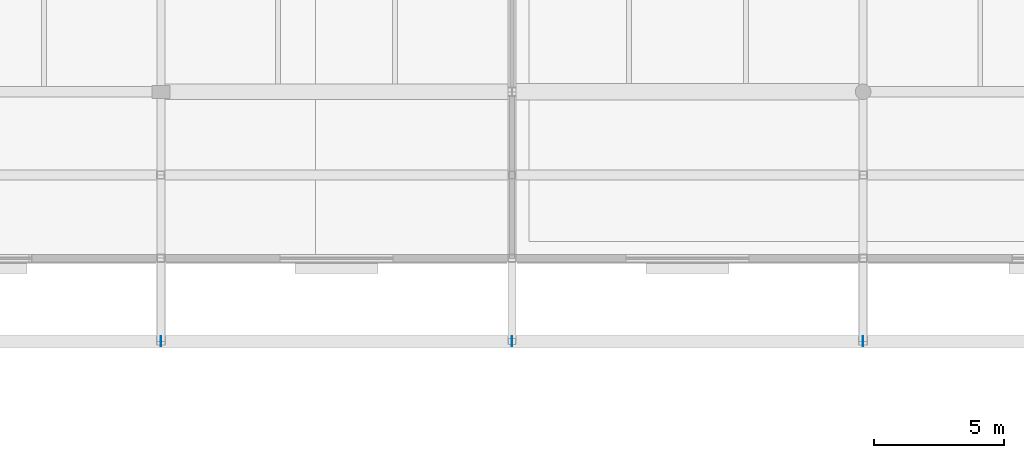
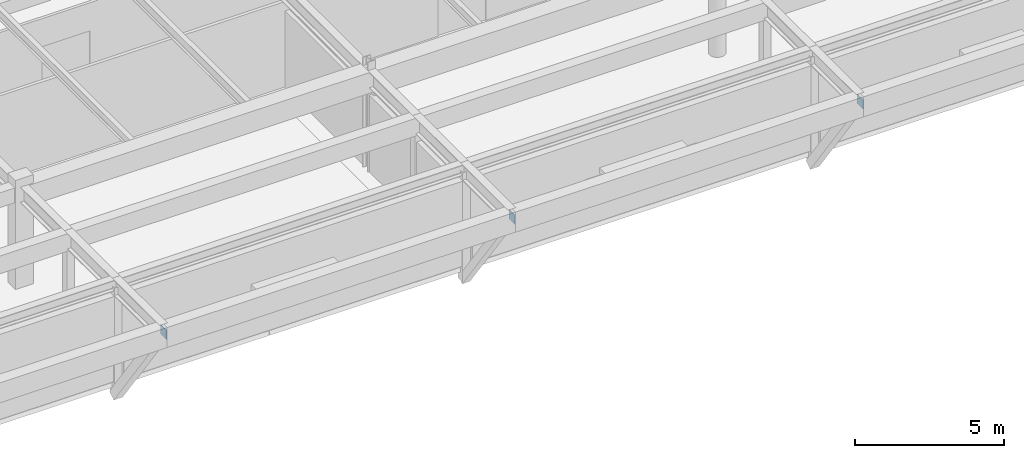
# One storey, part 61 of 80: 3 plates.
"""IFC4 building model written with IfcOpenShell, lengths in metres."""

from ifc_helpers import new_model, si_unit, direction, frame, origin, origin_2d, place, context, subcontext, project, spatial, rectangle, extrude, material, layer, layer_set, type_object, element, save


model = new_model("IFC4")

# Units and contexts
model_context = context("Model", 3, precision=1e-05, world=origin(), true_north=direction((0.0, 1.0)))
body_context = subcontext(model_context, "Body", "Model", "MODEL_VIEW")
ifc_project = project(units=[si_unit("LENGTHUNIT", "METRE"), si_unit("AREAUNIT", "SQUARE_METRE"), si_unit("VOLUMEUNIT", "CUBIC_METRE"), si_unit("PLANEANGLEUNIT", "RADIAN"), si_unit("MASSUNIT", "GRAM", prefix="KILO")], contexts=[model_context])

# Site, building, storey
site_placement = place(None, origin())
site = spatial("IfcSite", under=ifc_project, at=site_placement, CompositionType="ELEMENT")
building_placement = place(site_placement, origin())
building = spatial("IfcBuilding", under=site, at=building_placement, Name="Fikremerkos Civic Library", CompositionType="ELEMENT")
storey_placement = place(building_placement, frame((0.0, 0.0, 9.89990234375)))
storey = spatial("IfcBuildingStorey", under=building, at=storey_placement, Name="L02", CompositionType="ELEMENT", Elevation=9.89990234375)

# Plates
ifc_material = material(Name="Steel S355", Category="steel")
ifc_layer = layer(ifc_material, 0.02490234375, Name="Steel S355")
ifc_layer_set = layer_set([ifc_layer], Name="Steel S355")
plate_type = type_object("IfcPlateType", Name="Steel gusset cap plate GSP-02 380x380x25", PredefinedType="USERDEFINED", material=ifc_layer_set)
for number, where, z_axis, x_axis, name in (
    (1, (73.199951171875, 2.39990234375, 3.645263671875), (0.0, 0.0, 1.0), (1.0, 0.0, 0.0), "Steel gusset cap plate GSP-02 #22"),
    (2, (86.699951171875, 2.39990234375, 3.645263671875), (0.0, 0.0, 1.0), (1.0, 0.0, 0.0), "Steel gusset cap plate GSP-02 #28"),
    (3, (100.199951171875, 2.39990234375, 3.645263671875), (0.0, 0.0, 1.0), (1.0, 0.0, 0.0), "Steel gusset cap plate GSP-02 #34"),
):
    element("IfcPlate", number, at=place(storey_placement, frame(where, z_axis=z_axis, x_axis=x_axis)), inside=storey, type_object=plate_type, Name=name, ObjectType="GUSSET PLATE", PredefinedType="USERDEFINED", context=body_context, shape_type="SweptSolid", body=[
        extrude(rectangle(XDim=0.02490234375, YDim=0.3798828125, at=origin_2d()), origin(), (0.0, 0.0, 1.0), 0.3798828125),
    ])

save(model, "model.ifc")
